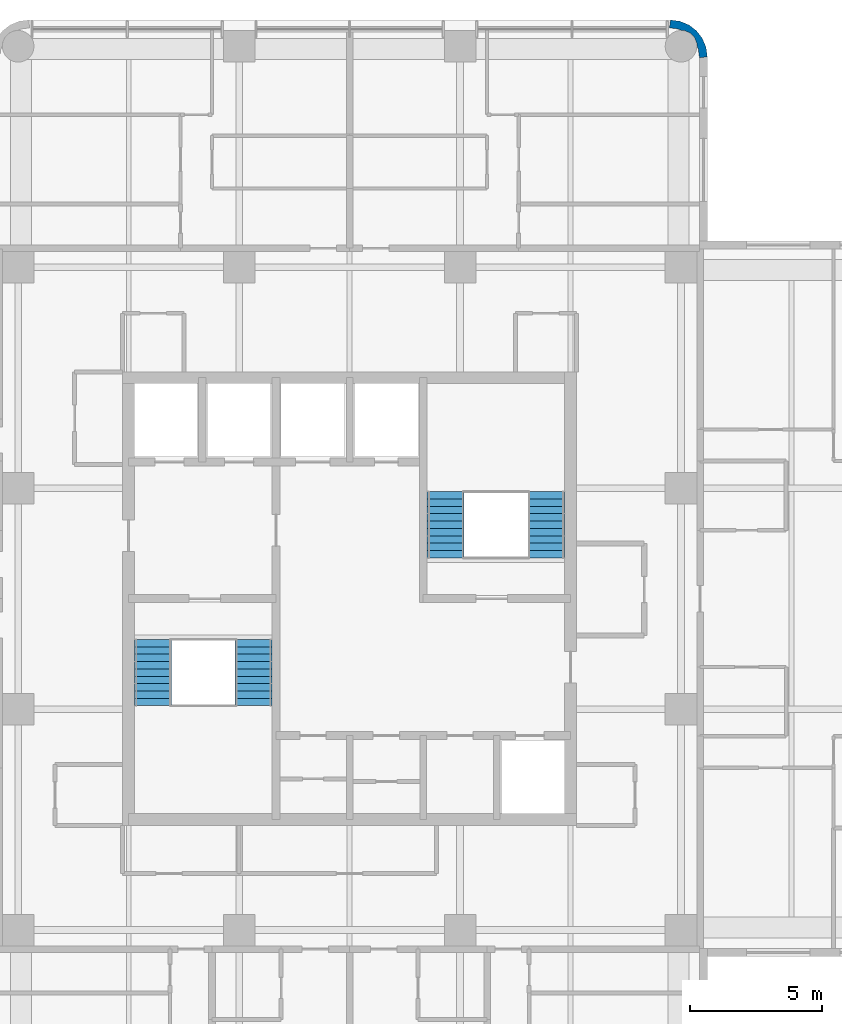
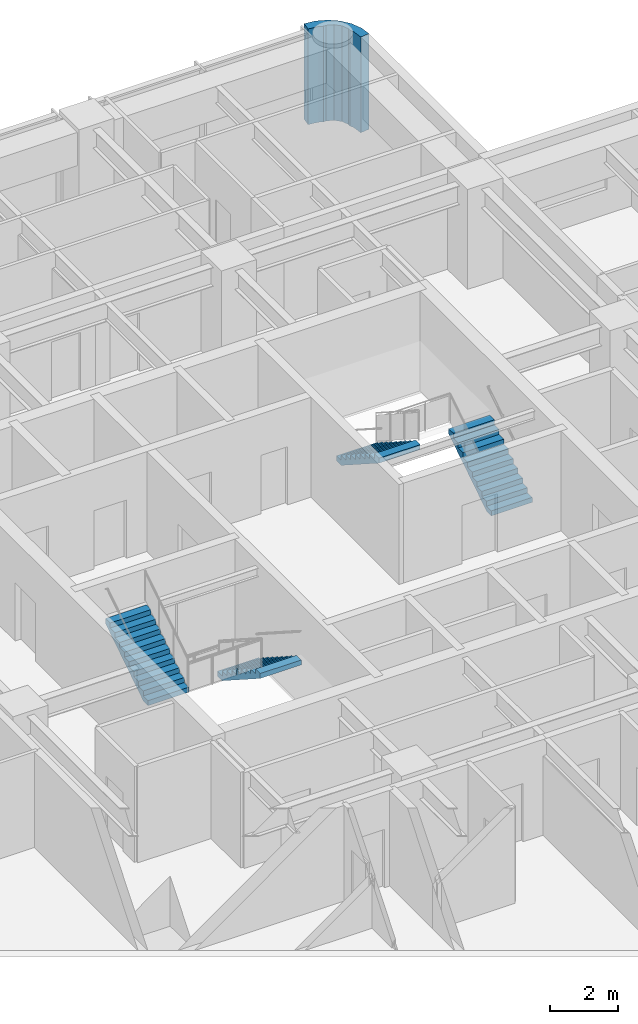
# One storey, part 9 of 10: 4 stair flights, 1 wall, 2 elements without a shape of their own.
"""IFC4 building model written with IfcOpenShell, lengths in metres."""

from ifc_helpers import new_model, si_unit, direction, frame, origin, place, context, subcontext, project, spatial, polyline, outline, extrude, material, layer, layer_set, type_object, element, aggregate, save


model = new_model("IFC4")

# Units and contexts
model_context = context("Model", 3, precision=1e-05, world=origin(), true_north=direction((0.0, 1.0)))
body_context = subcontext(model_context, "Body", "Model", "MODEL_VIEW")
ifc_project = project(units=[si_unit("LENGTHUNIT", "METRE"), si_unit("AREAUNIT", "SQUARE_METRE"), si_unit("VOLUMEUNIT", "CUBIC_METRE"), si_unit("PLANEANGLEUNIT", "RADIAN"), si_unit("MASSUNIT", "GRAM", prefix="KILO")], contexts=[model_context])

# Site, building, storey
site_placement = place(None, origin())
site = spatial("IfcSite", under=ifc_project, at=site_placement, CompositionType="ELEMENT")
building_placement = place(site_placement, origin())
building = spatial("IfcBuilding", under=site, at=building_placement, Name="Torre Alcanfor", CompositionType="ELEMENT")
storey_placement = place(building_placement, frame((0.0, 0.0, 282.89990234375)))
storey = spatial("IfcBuildingStorey", under=building, at=storey_placement, Name="L74", CompositionType="ELEMENT", Elevation=282.89990234375)

# Wall
ifc_material_1 = material(Name="Limestone cladding", Category="masonry")
ifc_layer_1 = layer(ifc_material_1, 0.0400390625, Name="Facing")
ifc_material_2 = material(Name="Ventilated air cavity")
ifc_layer_2 = layer(ifc_material_2, 0.02001953125, ventilated=True, Name="Ventilated joint")
ifc_material_3 = material(Name="Mineral wool insulation", Category="insulation")
ifc_layer_3 = layer(ifc_material_3, 0.10009765625, Name="Insulation")
ifc_material_4 = material(Name="Concrete f'c 35 MPa", Category="concrete")
ifc_layer_4 = layer(ifc_material_4, 0.139892578125, Name="Backing")
ifc_layer_set = layer_set([ifc_layer_1, ifc_layer_2, ifc_layer_3, ifc_layer_4], Name="Rounded corner pier stone-clad 300")
wall_type = type_object("IfcWallType", Name="Rounded corner pier stone-clad 300", PredefinedType="SOLIDWALL", material=ifc_layer_set)
wall_placement = place(storey_placement, frame((42.575898117, 50.038418254, 0.0), z_axis=(0.0, 0.0, 1.0), x_axis=(0.707106781187, 0.707106781187, 0.0)))
element("IfcWall", 1, at=wall_placement, inside=storey, type_object=wall_type, Name="Corner pier L74 19", PredefinedType="SOLIDWALL", context=body_context, shape_type="SweptSolid", body=[
    extrude(outline(polyline([(0.2330138064133928, 0.11420007896755979), (0.0465696355927211, -0.12886787706531594), (0.03258632278117072, -0.14285118987686632), (0.27271950945853585, -0.32705112530802993), (0.4952440800028376, -0.03719949307848569), (0.6350772081183413, 0.3004716162967309), (0.682724051772513, 0.663001948448037), (0.6350772081183413, 1.025187013616342), (0.4952440800028376, 1.3628581229915584), (0.27271950945853596, 1.6527097552211027), (0.032758956272671336, 1.4686824532814398), (0.046742269084221744, 1.4546991404698892), (0.23318643990489346, 1.2116311844370136), (0.2922270939981061, 1.0690359204575), (0.35782782076834246, 1.0034351936872634), (0.4493235712636722, 0.7824643245664674), (0.44949620475517277, 0.543366938838106), (0.3580004542598431, 0.3223960697173099), (0.29222709399810615, 0.2566227094555729), (0.2330138064133928, 0.11420007896755979)])), origin(), (0.0, 0.0, 1.0), 3.4501953125),
])

# Stair, stair flights
ifc_material_5 = material(Name="Concrete f'c 35 MPa", Category="concrete")
stair_type_1 = type_object("IfcStairType", Name="Exit stair S1 1400 wide", PredefinedType="HALF_TURN_STAIR", material=ifc_material_5)
stair_1_placement = place(storey_placement, origin())
stair_1 = element("IfcStair", 2, at=stair_1_placement, inside=storey, type_object=stair_type_1, Name="Stair S1 L74 to L75", PredefinedType="HALF_TURN_STAIR")
ifc_material_6 = material(Name="Concrete f'c 35 MPa", Category="concrete")
stair_flight_type = type_object("IfcStairFlightType", Name="Stair flight 1400", PredefinedType="STRAIGHT", material=ifc_material_6)
stair_flight_1_placement = place(storey_placement, frame((25.75, 27.85009765625, 0.0), z_axis=(0.0, 0.0, 1.0), x_axis=(0.0, -1.0, 0.0)))
stair_flight_1 = element("IfcStairFlight", 3, at=stair_flight_1_placement, type_object=stair_flight_type, Name="S1 flight 1", NumberOfRisers=10, NumberOfTreads=9, PredefinedType="STRAIGHT", RiserHeight=0.18, TreadLength=0.28, context=body_context, shape_type="SweptSolid", body=[
    extrude(outline(polyline([(0.0, 0.0), (0.0, 0.179931640625), (0.280029296875, 0.179931640625), (0.280029296875, 0.360107421875), (0.56005859375, 0.360107421875), (0.56005859375, 0.5400390625), (0.840087890625, 0.5400390625), (0.840087890625, 0.719970703125), (1.1201171875, 0.719970703125), (1.1201171875, 0.89990234375), (1.39990234375, 0.89990234375), (1.39990234375, 1.080078125), (1.679931640625, 1.080078125), (1.679931640625, 1.260009765625), (1.9599609375, 1.260009765625), (1.9599609375, 1.43994140625), (2.239990234375, 1.43994140625), (2.239990234375, 1.6201171875), (2.52001953125, 1.6201171875), (2.52001953125, 1.800048828125), (2.52001953125, 1.44189453125), (0.277099609375, 0.0), (0.0, 0.0)])), frame((0.0, 0.699951171875, 0.0), z_axis=(0.0, -1.0, 0.0), x_axis=(1.0, 0.0, 0.0)), (0.0, 0.0, 1.0), 1.39990234375),
])
stair_flight_2_placement = place(storey_placement, frame((21.925048828125, 25.330078125, 1.800048828125), z_axis=(0.0, 0.0, 1.0), x_axis=(0.0, 1.0, 0.0)))
stair_flight_2 = element("IfcStairFlight", 4, at=stair_flight_2_placement, type_object=stair_flight_type, Name="S1 flight 2", NumberOfRisers=10, NumberOfTreads=9, PredefinedType="STRAIGHT", RiserHeight=0.18, TreadLength=0.28, context=body_context, shape_type="SweptSolid", body=[
    extrude(outline(polyline([(0.0, 0.0), (0.0, 0.179931640625), (0.280029296875, 0.179931640625), (0.280029296875, 0.360107421875), (0.56005859375, 0.360107421875), (0.56005859375, 0.5400390625), (0.840087890625, 0.5400390625), (0.840087890625, 0.719970703125), (1.1201171875, 0.719970703125), (1.1201171875, 0.89990234375), (1.39990234375, 0.89990234375), (1.39990234375, 1.080078125), (1.679931640625, 1.080078125), (1.679931640625, 1.260009765625), (1.9599609375, 1.260009765625), (1.9599609375, 1.43994140625), (2.239990234375, 1.43994140625), (2.239990234375, 1.6201171875), (2.52001953125, 1.6201171875), (2.52001953125, 1.800048828125), (2.52001953125, 1.44189453125), (0.277099609375, 0.0), (0.0, 0.0)])), frame((0.0, 0.699951171875, 0.0), z_axis=(0.0, -1.0, 0.0), x_axis=(1.0, 0.0, 0.0)), (0.0, 0.0, 1.0), 1.39990234375),
])
aggregate(stair_1, [stair_flight_1, stair_flight_2])

ifc_material_7 = material(Name="Concrete f'c 35 MPa", Category="concrete")
stair_type_2 = type_object("IfcStairType", Name="Exit stair S2 1400 wide", PredefinedType="HALF_TURN_STAIR", material=ifc_material_7)
stair_2_placement = place(storey_placement, origin())
stair_2 = element("IfcStair", 5, at=stair_2_placement, inside=storey, type_object=stair_type_2, Name="Stair S2 L74 to L75", PredefinedType="HALF_TURN_STAIR")
stair_flight_3_placement = place(storey_placement, frame((36.875, 30.949951171875, 0.0), z_axis=(0.0, 0.0, 1.0), x_axis=(0.0, 1.0, 0.0)))
stair_flight_3 = element("IfcStairFlight", 6, at=stair_flight_3_placement, type_object=stair_flight_type, Name="S2 flight 1", NumberOfRisers=10, NumberOfTreads=9, PredefinedType="STRAIGHT", RiserHeight=0.18, TreadLength=0.28, context=body_context, shape_type="SweptSolid", body=[
    extrude(outline(polyline([(0.0, 0.0), (0.0, 0.179931640625), (0.280029296875, 0.179931640625), (0.280029296875, 0.360107421875), (0.56005859375, 0.360107421875), (0.56005859375, 0.5400390625), (0.840087890625, 0.5400390625), (0.840087890625, 0.719970703125), (1.1201171875, 0.719970703125), (1.1201171875, 0.89990234375), (1.39990234375, 0.89990234375), (1.39990234375, 1.080078125), (1.679931640625, 1.080078125), (1.679931640625, 1.260009765625), (1.9599609375, 1.260009765625), (1.9599609375, 1.43994140625), (2.239990234375, 1.43994140625), (2.239990234375, 1.6201171875), (2.52001953125, 1.6201171875), (2.52001953125, 1.800048828125), (2.52001953125, 1.44189453125), (0.277099609375, 0.0), (0.0, 0.0)])), frame((0.0, 0.699951171875, 0.0), z_axis=(0.0, -1.0, 0.0), x_axis=(1.0, 0.0, 0.0)), (0.0, 0.0, 1.0), 1.39990234375),
])
stair_flight_4_placement = place(storey_placement, frame((33.050048828125, 33.469970703125, 1.800048828125), z_axis=(0.0, 0.0, 1.0), x_axis=(0.0, -1.0, 0.0)))
stair_flight_4 = element("IfcStairFlight", 7, at=stair_flight_4_placement, type_object=stair_flight_type, Name="S2 flight 2", NumberOfRisers=10, NumberOfTreads=9, PredefinedType="STRAIGHT", RiserHeight=0.18, TreadLength=0.28, context=body_context, shape_type="SweptSolid", body=[
    extrude(outline(polyline([(0.0, 0.0), (0.0, 0.179931640625), (0.280029296875, 0.179931640625), (0.280029296875, 0.360107421875), (0.56005859375, 0.360107421875), (0.56005859375, 0.5400390625), (0.840087890625, 0.5400390625), (0.840087890625, 0.719970703125), (1.1201171875, 0.719970703125), (1.1201171875, 0.89990234375), (1.39990234375, 0.89990234375), (1.39990234375, 1.080078125), (1.679931640625, 1.080078125), (1.679931640625, 1.260009765625), (1.9599609375, 1.260009765625), (1.9599609375, 1.43994140625), (2.239990234375, 1.43994140625), (2.239990234375, 1.6201171875), (2.52001953125, 1.6201171875), (2.52001953125, 1.800048828125), (2.52001953125, 1.44189453125), (0.277099609375, 0.0), (0.0, 0.0)])), frame((0.0, 0.699951171875, 0.0), z_axis=(0.0, -1.0, 0.0), x_axis=(1.0, 0.0, 0.0)), (0.0, 0.0, 1.0), 1.39990234375),
])
aggregate(stair_2, [stair_flight_3, stair_flight_4])

save(model, "model.ifc")
